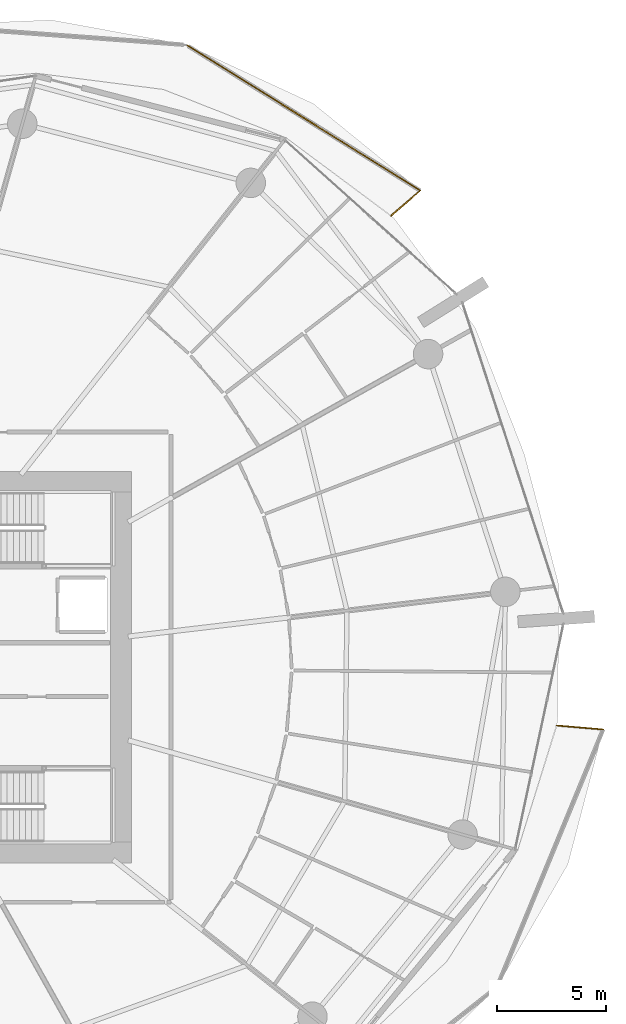
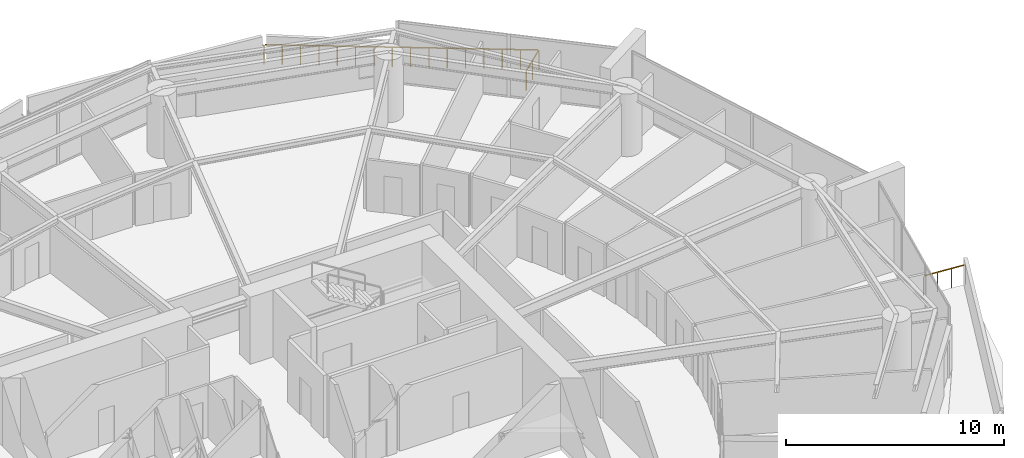
# One storey, part 32 of 32: 3 railings.
"""IFC4 building model written with IfcOpenShell, lengths in metres."""

from ifc_helpers import new_model, si_unit, direction, frame, origin, origin_2d, place, context, subcontext, project, spatial, rectangle, extrude, material, type_object, element, save


model = new_model("IFC4")

# Units and contexts
model_context = context("Model", 3, precision=1e-05, world=origin(), true_north=direction((0.0, 1.0)))
body_context = subcontext(model_context, "Body", "Model", "MODEL_VIEW")
ifc_project = project(units=[si_unit("LENGTHUNIT", "METRE"), si_unit("AREAUNIT", "SQUARE_METRE"), si_unit("VOLUMEUNIT", "CUBIC_METRE"), si_unit("PLANEANGLEUNIT", "RADIAN"), si_unit("MASSUNIT", "GRAM", prefix="KILO")], contexts=[model_context])

# Site, building, storey
site_placement = place(None, origin())
site = spatial("IfcSite", under=ifc_project, at=site_placement, CompositionType="ELEMENT")
building_placement = place(site_placement, origin())
building = spatial("IfcBuilding", under=site, at=building_placement, Name="Kazma Halo Residences", CompositionType="ELEMENT")
storey_placement = place(building_placement, frame((0.0, 0.0, 63.89990234375)))
storey = spatial("IfcBuildingStorey", under=building, at=storey_placement, Name="L15", CompositionType="ELEMENT", Elevation=63.89990234375)

# Railings
ifc_material = material(Name="Aluminium AW-6063 T6 Brushed Cap Rail", Category="aluminium")
railing_type = type_object("IfcRailingType", Name="RLG-BAL-CAP-1120", PredefinedType="BALUSTRADE", material=ifc_material)
railing_1_placement = place(storey_placement, frame((71.875732421875, 62.645263671875, 0.0)))
element("IfcRailing", 1, at=railing_1_placement, inside=storey, type_object=railing_type, Name="L15 NE wave balcony guard 1", PredefinedType="BALUSTRADE", context=body_context, shape_type="SweptSolid", body=[
    extrude(rectangle(XDim=0.050048828125, YDim=0.050048828125, at=origin_2d()), frame((0.0322265625, 0.02783203125, 1.09521484375), z_axis=(0.756352047657, 0.654164795755, 0.0), x_axis=(-0.654164795755, 0.756352047657, 0.0)), (0.0, 0.0, 1.0), 1.67578125),
    extrude(rectangle(XDim=0.0400390625, YDim=0.0400390625, at=origin_2d()), origin(), (0.0, 0.0, 1.0), 1.05810546875),
    extrude(rectangle(XDim=0.0400390625, YDim=0.0400390625, at=origin_2d()), frame((0.666015625, 0.575927734375, 0.0)), (0.0, 0.0, 1.0), 1.05810546875),
    extrude(rectangle(XDim=0.0400390625, YDim=0.0400390625, at=origin_2d()), frame((1.331787109375, 1.15185546875, 0.0)), (0.0, 0.0, 1.0), 1.05810546875),
])
railing_2_placement = place(storey_placement, frame((73.20751953125, 63.797119140625, 0.0)))
element("IfcRailing", 2, at=railing_2_placement, inside=storey, type_object=railing_type, Name="L15 NE wave balcony guard 2", PredefinedType="BALUSTRADE", context=body_context, shape_type="SweptSolid", body=[
    extrude(rectangle(XDim=0.050048828125, YDim=0.050048828125, at=origin_2d()), frame((-0.0361328125, 0.0224609375, 1.09521484375), z_axis=(-0.848702312015, 0.528870859077, 0.0), x_axis=(-0.528870859077, -0.848702312015, 0.0)), (0.0, 0.0, 1.0), 12.526123046875),
    extrude(rectangle(XDim=0.0400390625, YDim=0.0400390625, at=origin_2d()), origin(), (0.0, 0.0, 1.0), 1.05810546875),
    extrude(rectangle(XDim=0.0400390625, YDim=0.0400390625, at=origin_2d()), frame((-0.713623046875, 0.444580078125, 0.0)), (0.0, 0.0, 1.0), 1.05810546875),
    extrude(rectangle(XDim=0.0400390625, YDim=0.0400390625, at=origin_2d()), frame((-1.427001953125, 0.889404296875, 0.0)), (0.0, 0.0, 1.0), 1.05810546875),
    extrude(rectangle(XDim=0.0400390625, YDim=0.0400390625, at=origin_2d()), frame((-2.140625, 1.333984375, 0.0)), (0.0, 0.0, 1.0), 1.05810546875),
    extrude(rectangle(XDim=0.0400390625, YDim=0.0400390625, at=origin_2d()), frame((-2.854248046875, 1.778564453125, 0.0)), (0.0, 0.0, 1.0), 1.05810546875),
    extrude(rectangle(XDim=0.0400390625, YDim=0.0400390625, at=origin_2d()), frame((-3.567626953125, 2.22314453125, 0.0)), (0.0, 0.0, 1.0), 1.05810546875),
    extrude(rectangle(XDim=0.0400390625, YDim=0.0400390625, at=origin_2d()), frame((-4.28125, 2.66796875, 0.0)), (0.0, 0.0, 1.0), 1.05810546875),
    extrude(rectangle(XDim=0.0400390625, YDim=0.0400390625, at=origin_2d()), frame((-4.994873046875, 3.112548828125, 0.0)), (0.0, 0.0, 1.0), 1.05810546875),
    extrude(rectangle(XDim=0.0400390625, YDim=0.0400390625, at=origin_2d()), frame((-5.708251953125, 3.55712890625, 0.0)), (0.0, 0.0, 1.0), 1.05810546875),
    extrude(rectangle(XDim=0.0400390625, YDim=0.0400390625, at=origin_2d()), frame((-6.421875, 4.001708984375, 0.0)), (0.0, 0.0, 1.0), 1.05810546875),
    extrude(rectangle(XDim=0.0400390625, YDim=0.0400390625, at=origin_2d()), frame((-7.135498046875, 4.446533203125, 0.0)), (0.0, 0.0, 1.0), 1.05810546875),
    extrude(rectangle(XDim=0.0400390625, YDim=0.0400390625, at=origin_2d()), frame((-7.848876953125, 4.89111328125, 0.0)), (0.0, 0.0, 1.0), 1.05810546875),
    extrude(rectangle(XDim=0.0400390625, YDim=0.0400390625, at=origin_2d()), frame((-8.5625, 5.335693359375, 0.0)), (0.0, 0.0, 1.0), 1.05810546875),
    extrude(rectangle(XDim=0.0400390625, YDim=0.0400390625, at=origin_2d()), frame((-9.276123046875, 5.7802734375, 0.0)), (0.0, 0.0, 1.0), 1.05810546875),
    extrude(rectangle(XDim=0.0400390625, YDim=0.0400390625, at=origin_2d()), frame((-9.989501953125, 6.22509765625, 0.0)), (0.0, 0.0, 1.0), 1.05810546875),
    extrude(rectangle(XDim=0.0400390625, YDim=0.0400390625, at=origin_2d()), frame((-10.703125, 6.669677734375, 0.0)), (0.0, 0.0, 1.0), 1.05810546875),
])
railing_3_placement = place(storey_placement, frame((81.574462890625, 39.151123046875, 0.0)))
element("IfcRailing", 3, at=railing_3_placement, inside=storey, type_object=railing_type, Name="L15 SE wave balcony guard 4", PredefinedType="BALUSTRADE", context=body_context, shape_type="SweptSolid", body=[
    extrude(rectangle(XDim=0.050048828125, YDim=0.050048828125, at=origin_2d()), frame((-0.04248046875, 0.003662109375, 1.09521484375), z_axis=(-0.99642062311, 0.084533672819, 0.0), x_axis=(-0.084533672819, -0.99642062311, 0.0)), (0.0, 0.0, 1.0), 2.04638671875),
    extrude(rectangle(XDim=0.0400390625, YDim=0.0400390625, at=origin_2d()), origin(), (0.0, 0.0, 1.0), 1.05810546875),
    extrude(rectangle(XDim=0.0400390625, YDim=0.0400390625, at=origin_2d()), frame((-0.7080078125, 0.06005859375, 0.0)), (0.0, 0.0, 1.0), 1.05810546875),
    extrude(rectangle(XDim=0.0400390625, YDim=0.0400390625, at=origin_2d()), frame((-1.415771484375, 0.1201171875, 0.0)), (0.0, 0.0, 1.0), 1.05810546875),
    extrude(rectangle(XDim=0.0400390625, YDim=0.0400390625, at=origin_2d()), frame((-2.123779296875, 0.18017578125, 0.0)), (0.0, 0.0, 1.0), 1.05810546875),
])

save(model, "model.ifc")
